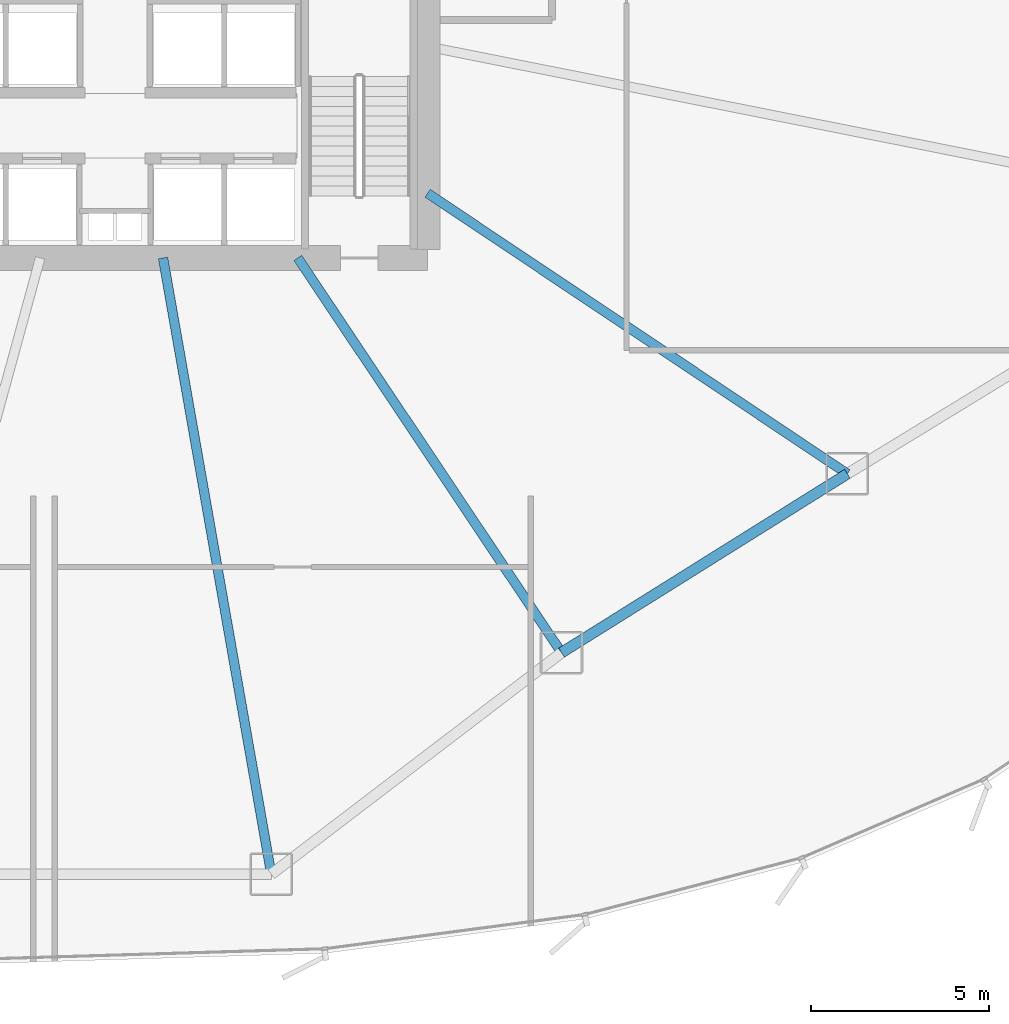
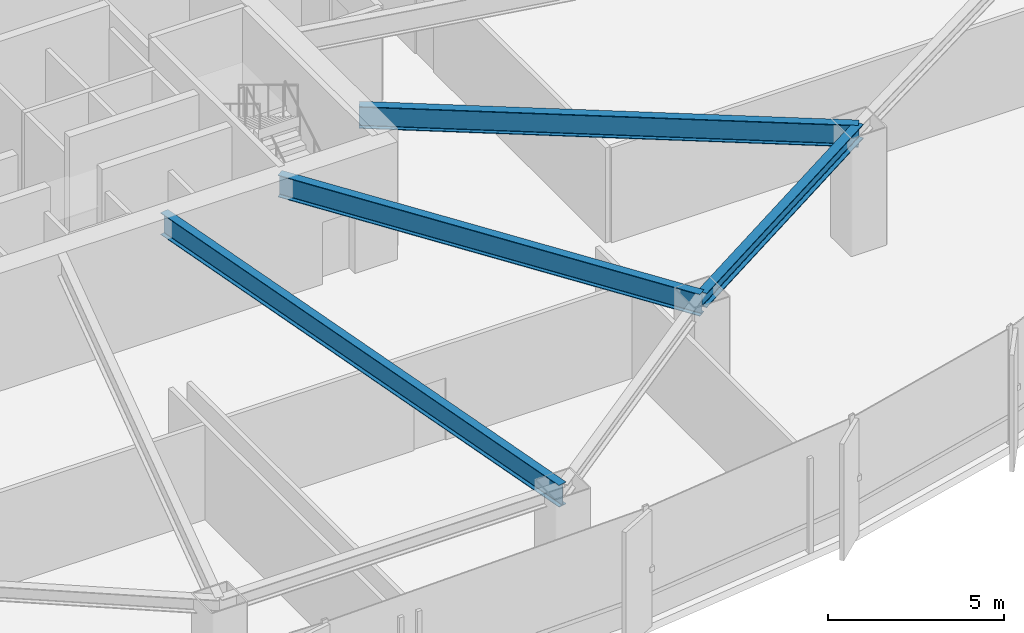
# One storey, part 9 of 34: 4 beams.
"""IFC4 building model written with IfcOpenShell, lengths in metres."""

from ifc_helpers import new_model, si_unit, direction, frame, origin, origin_2d, place, context, subcontext, project, spatial, i_section, extrude, source, transform, mapped, material, material_profile, profile_set, type_object, element, save


model = new_model("IFC4")

# Units and contexts
model_context = context("Model", 3, precision=1e-05, world=origin(), true_north=direction((0.0, 1.0)))
body_context = subcontext(model_context, "Body", "Model", "MODEL_VIEW")
ifc_project = project(units=[si_unit("LENGTHUNIT", "METRE"), si_unit("AREAUNIT", "SQUARE_METRE"), si_unit("VOLUMEUNIT", "CUBIC_METRE"), si_unit("PLANEANGLEUNIT", "RADIAN"), si_unit("MASSUNIT", "GRAM", prefix="KILO"), si_unit("THERMODYNAMICTEMPERATUREUNIT", "KELVIN")], contexts=[model_context])

# Site, building, storey
site_placement = place(None, origin())
site = spatial("IfcSite", under=ifc_project, at=site_placement, CompositionType="ELEMENT")
building_placement = place(site_placement, origin())
building = spatial("IfcBuilding", under=site, at=building_placement, Name="Kethvar Cultural Tower", CompositionType="ELEMENT")
storey_placement = place(building_placement, frame((0.0, 0.0, 19.60009765625)))
storey = spatial("IfcBuildingStorey", under=building, at=storey_placement, Name="L04", CompositionType="ELEMENT", Elevation=19.60009765625)

# Beams
ifc_material = material(Name="Steel S355J2", Category="steel")
ifc_material_profile_1 = material_profile(ifc_material, i_section(OverallWidth=0.300048828125, OverallDepth=0.5, WebThickness=0.014404296875, FlangeThickness=0.028076171875, FilletRadius=0.027099609375, at=origin_2d()), Name="Steel S355J2 — HEB500")
ifc_profile_set_1 = profile_set([ifc_material_profile_1], Name="Steel S355J2 — HEB500")
beam_type_1 = type_object("IfcBeamType", Name="BM-SP500", PredefinedType="SPANDREL", material=ifc_profile_set_1)
shared_shape_1 = source(origin(), body_context, "Body", "SweptSolid", [
    extrude(i_section(OverallWidth=0.300048828125, OverallDepth=0.5, WebThickness=0.014404296875, FlangeThickness=0.028076171875, FilletRadius=0.027099609375, at=origin_2d()), origin(), (0.0, 0.0, 1.0), 9.493896484375),
])
beam_1_placement = place(storey_placement, frame((59.370361328125, 8.987060546875, 3.827880859375), z_axis=(0.847710685997, 0.530458851228, 0.0), x_axis=(-0.530458851228, 0.847710685997, 0.0)))
element("IfcBeam", 1, at=beam_1_placement, inside=storey, type_object=beam_type_1, Name="L04 Podium Ring Beam 14", PredefinedType="SPANDREL", context=body_context, shape_type="MappedRepresentation", body=[
    mapped(shared_shape_1, transform((0.0, 0.0, 0.0), scale=1.0)),
])
ifc_material_profile_2 = material_profile(ifc_material, i_section(OverallWidth=0.26708984375, OverallDepth=0.761962890625, WebThickness=0.014404296875, FlangeThickness=0.021484375, FilletRadius=0.01708984375, at=origin_2d()), Name="Steel S355J2 — IPE750x173")
ifc_profile_set_2 = profile_set([ifc_material_profile_2], Name="Steel S355J2 — IPE750x173")
beam_type_2 = type_object("IfcBeamType", Name="BM-IPE750", PredefinedType="BEAM", material=ifc_profile_set_2)
shared_shape_2 = source(origin(), body_context, "Body", "SweptSolid", [
    extrude(i_section(OverallWidth=0.26708984375, OverallDepth=0.761962890625, WebThickness=0.014404296875, FlangeThickness=0.021484375, FilletRadius=0.01708984375, at=origin_2d()), origin(), (0.0, 0.0, 1.0), 17.61572265625),
])
beam_2_placement = place(storey_placement, frame((48.152587890625, 20.10009765625, 3.697021484375), z_axis=(0.172991485085, -0.984923319903, 0.0), x_axis=(0.984923319903, 0.172991485085, 0.0)))
element("IfcBeam", 2, at=beam_2_placement, inside=storey, type_object=beam_type_2, Name="L04 Podium Radial Girder 13", PredefinedType="BEAM", context=body_context, shape_type="MappedRepresentation", body=[
    mapped(shared_shape_2, transform((0.0, 0.0, 0.0), scale=1.0)),
])
shared_shape_3 = source(origin(), body_context, "Body", "SweptSolid", [
    extrude(i_section(OverallWidth=0.26708984375, OverallDepth=0.761962890625, WebThickness=0.014404296875, FlangeThickness=0.021484375, FilletRadius=0.01708984375, at=origin_2d()), origin(), (0.0, 0.0, 1.0), 13.365478515625),
])
beam_3_placement = place(storey_placement, frame((51.945068359375, 20.10009765625, 3.697021484375), z_axis=(0.555559834465, -0.831476560301, 0.0), x_axis=(0.831476560301, 0.555559834465, 0.0)))
element("IfcBeam", 3, at=beam_3_placement, inside=storey, type_object=beam_type_2, Name="L04 Podium Radial Girder 14", PredefinedType="BEAM", context=body_context, shape_type="MappedRepresentation", body=[
    mapped(shared_shape_3, transform((0.0, 0.0, 0.0), scale=1.0)),
])
shared_shape_4 = source(origin(), body_context, "Body", "SweptSolid", [
    extrude(i_section(OverallWidth=0.26708984375, OverallDepth=0.761962890625, WebThickness=0.014404296875, FlangeThickness=0.021484375, FilletRadius=0.01708984375, at=origin_2d()), origin(), (0.0, 0.0, 1.0), 14.2138671875),
])
beam_4_placement = place(storey_placement, frame((55.60009765625, 21.920166015625, 3.697021484375), z_axis=(0.831463197362, -0.555579833537, 0.0), x_axis=(0.555579833537, 0.831463197362, 0.0)))
element("IfcBeam", 4, at=beam_4_placement, inside=storey, type_object=beam_type_2, Name="L04 Podium Radial Girder 15", PredefinedType="BEAM", context=body_context, shape_type="MappedRepresentation", body=[
    mapped(shared_shape_4, transform((0.0, 0.0, 0.0), scale=1.0)),
])

save(model, "model.ifc")
